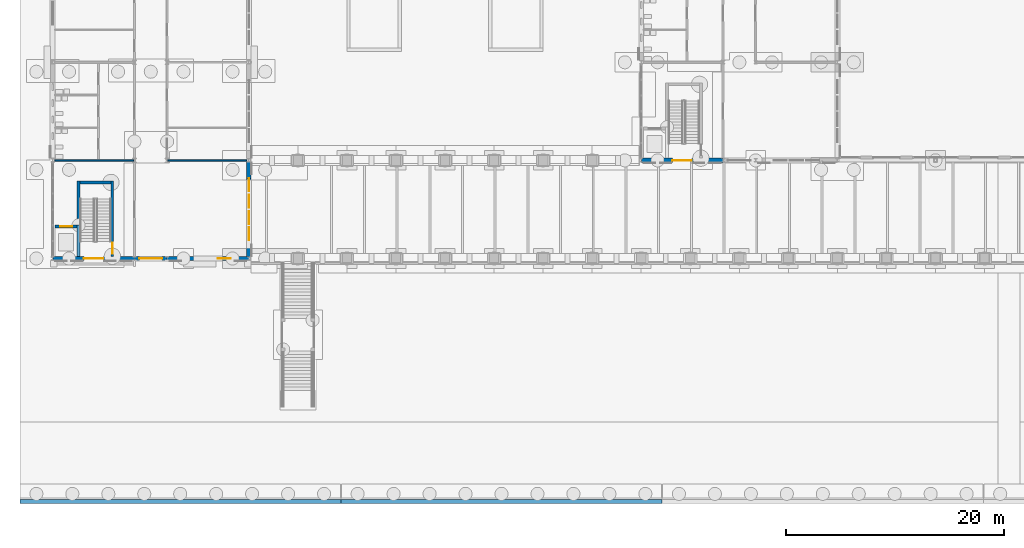
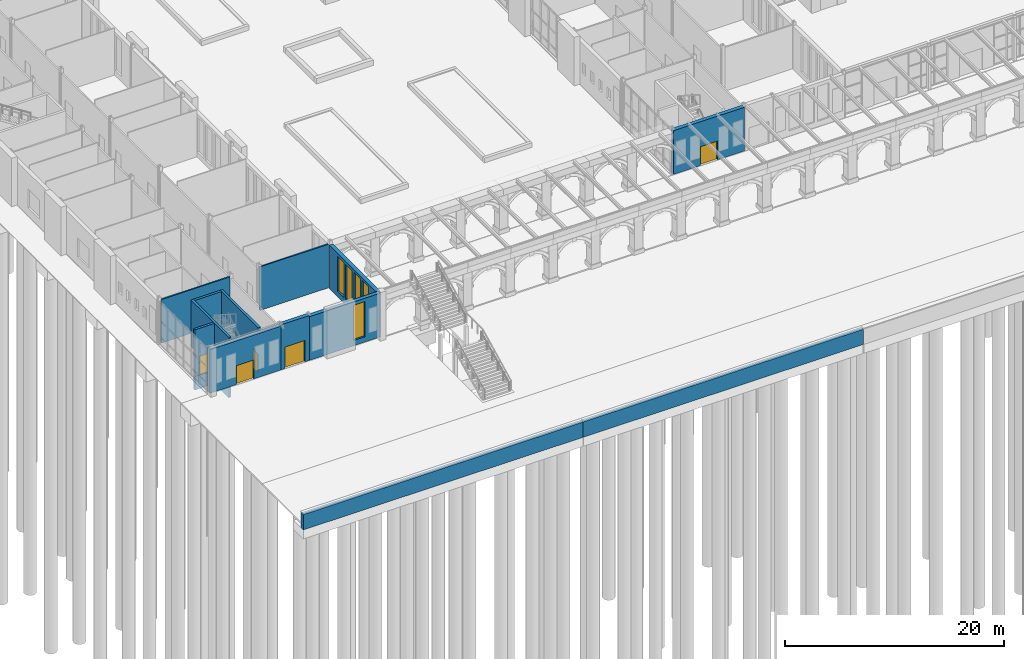
# One storey, part 83 of 168: 15 walls, 5 doors, 5 windows, 10 openings.
"""IFC4 building model written with IfcOpenShell, lengths in metres."""

import ifcopenshell
import ifcopenshell.guid

model = None  # the IFC model being written
_history = None  # IfcOwnerHistory: only IFC2X3 demands one
_inside = {}  # id of a spatial element -> (the spatial element, [elements in it])
_under = {}  # id of a project, library or spatial element -> (it, [spatial elements below it])
_declared = {}  # id of a project -> (the project, [libraries it declares])
_typed = {}  # id of a type object -> (the type object, [elements of that type])
_made_of = {}  # id of a material, layer set ... -> (it, [elements and type objects made of it])


def new_model(schema):
    """Start an empty IFC model of exactly this schema.

    Asked for "IFC4X3", IfcOpenShell would pick the latest addendum, in which some entities
    have other attributes; the version numbers below select the first issue.
    IFC2X3 requires an IfcOwnerHistory on every rooted entity: one is made here for all.
    """
    global model, _history
    if schema == "IFC4X3":
        model = ifcopenshell.file(schema_version=(4, 3, 0, 0))
    else:
        model = ifcopenshell.file(schema=schema)
    _inside.clear()
    _under.clear()
    _declared.clear()
    _typed.clear()
    _made_of.clear()
    _history = None
    if model.schema == "IFC2X3":
        org = make("IfcOrganization", Name="unknown")
        user = make(
            "IfcPersonAndOrganization",
            ThePerson=make("IfcPerson", FamilyName="unknown"),
            TheOrganization=org,
        )
        app = make(
            "IfcApplication",
            ApplicationDeveloper=org,
            Version="unknown",
            ApplicationFullName="unknown",
            ApplicationIdentifier="unknown",
        )
        _history = make(
            "IfcOwnerHistory",
            OwningUser=user,
            OwningApplication=app,
            ChangeAction="ADDED",
            CreationDate=0,
        )
    return model


def make(cls, **values):
    """One entity of the class cls with the attributes given. An attribute that is None is left unset."""
    return model.create_entity(
        cls, **{name: value for name, value in values.items() if value is not None}
    )


def rooted(cls, **values):
    """An entity with a GlobalId (a new one), such as an element, a storey or a relation."""
    return make(cls, GlobalId=ifcopenshell.guid.new(), OwnerHistory=_history, **values)


def si_unit(unit_type, name, prefix=None):
    """IfcSIUnit, for example si_unit("LENGTHUNIT", "METRE", prefix="MILLI")."""
    return make("IfcSIUnit", UnitType=unit_type, Prefix=prefix, Name=name)


def assignment(units):
    """IfcUnitAssignment: the units of a project."""
    return None if units is None else make("IfcUnitAssignment", Units=units)


def point(xyz):
    """IfcCartesianPoint."""
    return None if xyz is None else make("IfcCartesianPoint", Coordinates=xyz)


def direction(xyz):
    """IfcDirection."""
    return None if xyz is None else make("IfcDirection", DirectionRatios=xyz)


def frame(location, z_axis=None, x_axis=None):
    """IfcAxis2Placement3D, a coordinate frame: its origin and axes. An axis left out is left unset."""
    return make(
        "IfcAxis2Placement3D",
        Location=point(location),
        Axis=direction(z_axis),
        RefDirection=direction(x_axis),
    )


def frame_2d(location, x_axis=None):
    """IfcAxis2Placement2D, a coordinate frame in the plane: its origin and x axis."""
    return make(
        "IfcAxis2Placement2D", Location=point(location), RefDirection=direction(x_axis)
    )


def origin():
    """The frame at (0, 0, 0) with its axes left unset."""
    return frame((0.0, 0.0, 0.0))


def place(relative_to, where):
    """IfcLocalPlacement: puts the frame where relative to a parent placement (None: the world)."""
    return make(
        "IfcLocalPlacement", PlacementRelTo=relative_to, RelativePlacement=where
    )


def context(
    kind, dimensions, precision=None, world=None, true_north=None, identifier=None
):
    """IfcGeometricRepresentationContext, for example the 3D "Model" context."""
    return make(
        "IfcGeometricRepresentationContext",
        ContextIdentifier=identifier,
        ContextType=kind,
        CoordinateSpaceDimension=dimensions,
        Precision=precision,
        WorldCoordinateSystem=world,
        TrueNorth=true_north,
    )


def subcontext(parent, identifier, kind, view, scale=None):
    """IfcGeometricRepresentationSubContext, for example "Body" below "Model"."""
    return make(
        "IfcGeometricRepresentationSubContext",
        ContextIdentifier=identifier,
        ContextType=kind,
        ParentContext=parent,
        TargetScale=scale,
        TargetView=view,
    )


def project(units=None, contexts=None):
    """IfcProject with its units and contexts."""
    return rooted(
        "IfcProject",
        Name="project",
        RepresentationContexts=contexts,
        UnitsInContext=assignment(units),
    )


def spatial(cls, under=None, at=None, **own):
    """A site, building, storey or space (cls), placed at a placement, below another one or the project."""
    s = rooted(cls, ObjectPlacement=at, **own)
    if under is not None:
        _under.setdefault(under.id(), (under, []))[1].append(s)
    return s


def profile(cls, at=None, kind="AREA", **sizes):
    """A parametric profile (cls). Its sizes go by their IFC names, for example OverallWidth=200.0."""
    return make(cls, ProfileType=kind, Position=at, **sizes)


def rectangle(**sizes):
    """IfcRectangleProfileDef."""
    return profile("IfcRectangleProfileDef", **sizes)


def extrude(swept, where, along, depth):
    """IfcExtrudedAreaSolid: the profile swept, set in the frame where, extruded along a direction by depth."""
    return make(
        "IfcExtrudedAreaSolid",
        SweptArea=swept,
        Position=where,
        ExtrudedDirection=direction(along),
        Depth=depth,
    )


def shape(context_of_items, identifier, shape_type, items):
    """IfcShapeRepresentation: the items that make up one representation, for example the "Body"."""
    return make(
        "IfcShapeRepresentation",
        ContextOfItems=context_of_items,
        RepresentationIdentifier=identifier,
        RepresentationType=shape_type,
        Items=items,
    )


def material(Name=None, Category=None):
    """IfcMaterial."""
    return make("IfcMaterial", Name=Name, Category=Category)


def layer(
    of_material, thickness, ventilated=None, Name=None, Category=None, Priority=None
):
    """IfcMaterialLayer: one layer of a wall or slab, of a material (None: an air gap)."""
    return make(
        "IfcMaterialLayer",
        Material=of_material,
        LayerThickness=thickness,
        IsVentilated=ventilated,
        Name=Name,
        Category=Category,
        Priority=Priority,
    )


def layer_set(layers, Name=None):
    """IfcMaterialLayerSet."""
    return make("IfcMaterialLayerSet", MaterialLayers=layers, LayerSetName=Name)


def made_of(thing, what):
    """Note that an element or type object is made of a material, layer set ...; save() writes the relation."""
    if what is not None:
        _made_of.setdefault(what.id(), (what, []))[1].append(thing)
    return thing


def type_object(cls, material=None, **own):
    """A type object (cls), such as IfcWallType, which elements share."""
    return made_of(rooted(cls, **own), material)


def element(
    cls,
    number,
    at=None,
    inside=None,
    cuts=None,
    type_object=None,
    material=None,
    context=None,
    identifier="Body",
    shape_type=None,
    held_by="IfcProductDefinitionShape",
    body=None,
    shapes=None,
    **own,
):
    """One element of the class cls, such as IfcWall. Its Tag is "e" and its number.

    at: its placement. inside: the storey or other place that contains it. cuts: it is an
    opening in that element (IfcRelVoidsElement). A single representation is given by context,
    identifier, shape_type and body (its items); several are given by shapes. held_by: the class
    of the entity that holds the representations. save() writes the other relations.
    """
    e = rooted(cls, Tag="e%d" % number, ObjectPlacement=at, **own)
    if body is not None:
        shapes = [shape(context, identifier, shape_type, body)]
    if shapes is not None:
        e.Representation = make(held_by, Representations=shapes)
    if inside is not None:
        _inside.setdefault(inside.id(), (inside, []))[1].append(e)
    if cuts is not None:
        rooted(
            "IfcRelVoidsElement", RelatingBuildingElement=cuts, RelatedOpeningElement=e
        )
    if type_object is not None:
        _typed.setdefault(type_object.id(), (type_object, []))[1].append(e)
    return made_of(e, material)


def fill(opening, filler):
    """IfcRelFillsElement: the door or window that sits in an opening."""
    return rooted(
        "IfcRelFillsElement",
        RelatingOpeningElement=opening,
        RelatedBuildingElement=filler,
    )


def aggregate(whole, parts):
    """IfcRelAggregates: a whole, such as a stair, and the parts it consists of."""
    return rooted("IfcRelAggregates", RelatingObject=whole, RelatedObjects=parts)


def save(model, path):
    """Write the relations noted so far, then the file.

    IfcRelAggregates (storeys below a building ...), IfcRelContainedInSpatialStructure (elements
    in a storey), IfcRelDefinesByType, IfcRelAssociatesMaterial and IfcRelDeclares: one each for
    every whole, place, type object, material and project.
    """
    for whole, parts in _under.values():
        aggregate(whole, parts)
    for where, things in _inside.values():
        rooted(
            "IfcRelContainedInSpatialStructure",
            RelatedElements=things,
            RelatingStructure=where,
        )
    for kind, things in _typed.values():
        rooted("IfcRelDefinesByType", RelatedObjects=things, RelatingType=kind)
    for what, things in _made_of.values():
        rooted("IfcRelAssociatesMaterial", RelatedObjects=things, RelatingMaterial=what)
    for by, libraries in _declared.values():
        rooted("IfcRelDeclares", RelatingContext=by, RelatedDefinitions=libraries)
    model.write(path)


model = new_model("IFC4")

# Units and contexts
model_context = context("Model", 3, precision=1e-05, world=origin(), true_north=direction((0.0, 1.0)))
body_context = subcontext(model_context, "Body", "Model", "MODEL_VIEW")
ifc_project = project(units=[si_unit("LENGTHUNIT", "METRE"), si_unit("AREAUNIT", "SQUARE_METRE"), si_unit("VOLUMEUNIT", "CUBIC_METRE"), si_unit("PLANEANGLEUNIT", "RADIAN"), si_unit("MASSUNIT", "GRAM", prefix="KILO")], contexts=[model_context])

# Site, building, storey
site_placement = place(None, origin())
site = spatial("IfcSite", under=ifc_project, at=site_placement, CompositionType="ELEMENT")
building_placement = place(site_placement, origin())
building = spatial("IfcBuilding", under=site, at=building_placement, Name="Golden Quay Civic Hall", CompositionType="ELEMENT")
storey_placement = place(building_placement, origin())
storey = spatial("IfcBuildingStorey", under=building, at=storey_placement, Name="L00", CompositionType="ELEMENT", Elevation=0.0)

# Wall
ifc_material_1 = material(Name="Concrete C40/50", Category="concrete")
ifc_layer_1 = layer(ifc_material_1, 0.25)
ifc_layer_set_1 = layer_set([ifc_layer_1], Name="Concrete core wall 250, Concrete C40/50")
wall_type_1 = type_object("IfcWallType", Name="Concrete core wall 250", PredefinedType="SHEAR", material=ifc_layer_set_1)
wall_1_placement = place(storey_placement, frame((2.375, -8.800048828125, 0.0), z_axis=(0.0, 0.0, 1.0), x_axis=(0.0, 1.0, 0.0)))
element("IfcWall", 1, at=wall_1_placement, inside=storey, type_object=wall_type_1, Name="Core wall WO-S-W1", PredefinedType="SHEAR", context=body_context, shape_type="SweptSolid", body=[
    extrude(rectangle(XDim=6.900146484375, YDim=0.25, at=frame_2d((3.4501953125, 0.0))), origin(), (0.0, 0.0, 1.0), 5.199951171875),
])

# Wall, opening, door
wall_2_placement = place(storey_placement, frame((5.47509765625, -8.800048828125, 0.0), z_axis=(0.0, 0.0, 1.0), x_axis=(0.0, 1.0, 0.0)))
wall_2 = element("IfcWall", 2, at=wall_2_placement, inside=storey, type_object=wall_type_1, Name="Core wall WO-S-W2", PredefinedType="SHEAR", context=body_context, shape_type="SweptSolid", body=[
    extrude(rectangle(XDim=6.900146484375, YDim=0.25, at=frame_2d((3.4501953125, 0.0))), origin(), (0.0, 0.0, 1.0), 5.199951171875),
])
opening_1_placement = place(wall_2_placement, frame((0.25, 0.0, 0.0)))
opening_1 = element("IfcOpeningElement", 3, at=opening_1_placement, cuts=wall_2, Name="Opening L00-D073", PredefinedType="OPENING", context=body_context, shape_type="SweptSolid", body=[
    extrude(rectangle(XDim=1.0, YDim=2.10009765625, at=frame_2d((0.5, 1.050048828125))), frame((0.0, 0.135009765625, 0.0), z_axis=(0.0, -1.0, 0.0), x_axis=(1.0, 0.0, 0.0)), (0.0, 0.0, 1.0), 0.27001953125),
])
ifc_material_2 = material(Name="Steel", Category="steel")
door_type_1 = type_object("IfcDoorType", Name="Steel fire door FD60 1000 x 2100", OperationType="SINGLE_SWING_LEFT", PredefinedType="DOOR", material=ifc_material_2)
door_1_placement = place(opening_1_placement, origin())
door_1 = element("IfcDoor", 4, at=door_1_placement, inside=storey, type_object=door_type_1, Name="Door L00-D073", OperationType="SINGLE_SWING_LEFT", OverallHeight=2.10009765625, OverallWidth=1.0, PredefinedType="DOOR", context=body_context, shape_type="SweptSolid", body=[
    extrude(rectangle(XDim=1.0, YDim=2.10009765625, at=frame_2d((0.5, 1.050048828125))), frame((0.0, 0.02490234375, 0.0), z_axis=(0.0, -1.0, 0.0), x_axis=(1.0, 0.0, 0.0)), (0.0, 0.0, 1.0), 0.050048828125),
])
fill(opening_1, door_1)

# Wall
wall_3_placement = place(storey_placement, frame((2.5, -2.02490234375, 0.0), z_axis=(0.0, 0.0, 1.0), x_axis=(1.0, 0.0, 0.0)))
element("IfcWall", 5, at=wall_3_placement, inside=storey, type_object=wall_type_1, Name="Core wall WO-S-W3", PredefinedType="SHEAR", context=body_context, shape_type="SweptSolid", body=[
    extrude(rectangle(XDim=2.85009765625, YDim=0.25, at=frame_2d((1.425048828125, 0.0))), origin(), (0.0, 0.0, 1.0), 5.199951171875),
])

# Wall, opening, door
wall_4_placement = place(storey_placement, frame((0.199951171875, -6.074951171875, 0.0), z_axis=(0.0, 0.0, 1.0), x_axis=(1.0, 0.0, 0.0)))
wall_4 = element("IfcWall", 6, at=wall_4_placement, inside=storey, type_object=wall_type_1, Name="Core wall WO-S-W4", PredefinedType="SHEAR", context=body_context, shape_type="SweptSolid", body=[
    extrude(rectangle(XDim=2.050048828125, YDim=0.25, at=frame_2d((1.02490234375, 0.0))), origin(), (0.0, 0.0, 1.0), 5.199951171875),
])
opening_2_placement = place(wall_4_placement, frame((0.47509765625, 0.0, 0.0)))
opening_2 = element("IfcOpeningElement", 7, at=opening_2_placement, cuts=wall_4, Name="Opening L00-D089", PredefinedType="OPENING", context=body_context, shape_type="SweptSolid", body=[
    extrude(rectangle(XDim=1.10009765625, YDim=2.10009765625, at=frame_2d((0.550048828125, 1.050048828125))), frame((0.0, 0.135009765625, 0.0), z_axis=(0.0, -1.0, 0.0), x_axis=(1.0, 0.0, 0.0)), (0.0, 0.0, 1.0), 0.27001953125),
])
ifc_material_3 = material(Name="Steel", Category="steel")
door_type_2 = type_object("IfcDoorType", Name="Lift landing door 1100 x 2100", OperationType="SLIDING_TO_LEFT", PredefinedType="DOOR", material=ifc_material_3)
door_2_placement = place(opening_2_placement, origin())
door_2 = element("IfcDoor", 8, at=door_2_placement, inside=storey, type_object=door_type_2, Name="Lift landing door L00-D089 WO-S", OperationType="SLIDING_TO_LEFT", OverallHeight=2.10009765625, OverallWidth=1.10009765625, PredefinedType="DOOR", context=body_context, shape_type="SweptSolid", body=[
    extrude(rectangle(XDim=1.10009765625, YDim=2.10009765625, at=frame_2d((0.550048828125, 1.050048828125))), frame((0.0, 0.02490234375, 0.0), z_axis=(0.0, -1.0, 0.0), x_axis=(1.0, 0.0, 0.0)), (0.0, 0.0, 1.0), 0.050048828125),
])
fill(opening_2, door_2)

# Walls
wall_5_placement = place(storey_placement, frame((2.375, -8.800048828125, -1.5), z_axis=(0.0, 0.0, 1.0), x_axis=(0.0, 1.0, 0.0)))
element("IfcWall", 9, at=wall_5_placement, inside=storey, type_object=wall_type_1, Name="Lift pit wall P1", PredefinedType="SHEAR", context=body_context, shape_type="SweptSolid", body=[
    extrude(rectangle(XDim=2.85009765625, YDim=0.25, at=frame_2d((1.425048828125, 0.0))), origin(), (0.0, 0.0, 1.0), 1.5),
])
wall_6_placement = place(storey_placement, frame((0.199951171875, -6.074951171875, -1.5), z_axis=(0.0, 0.0, 1.0), x_axis=(1.0, 0.0, 0.0)))
element("IfcWall", 10, at=wall_6_placement, inside=storey, type_object=wall_type_1, Name="Lift pit wall P2", PredefinedType="SHEAR", context=body_context, shape_type="SweptSolid", body=[
    extrude(rectangle(XDim=2.050048828125, YDim=0.25, at=frame_2d((1.02490234375, 0.0))), origin(), (0.0, 0.0, 1.0), 1.5),
])
ifc_material_4 = material(Name="Plasterboard on steel studs", Category="steel")
ifc_layer_2 = layer(ifc_material_4, 0.14990234375)
ifc_layer_set_2 = layer_set([ifc_layer_2], Name="Partition 150 stud fire EI 60")
wall_type_2 = type_object("IfcWallType", Name="Partition 150 stud fire EI 60", PredefinedType="PARTITIONING", material=ifc_layer_set_2)
for number, where, z_axis, x_axis, name in (
    (11, (10.574951171875, 0.0, 0.0), (0.0, 0.0, 1.0), (1.0, 0.0, 0.0), "Partition L00-010"),
    (12, (0.199951171875, 0.0, 0.0), (0.0, 0.0, 1.0), (1.0, 0.0, 0.0), "Partition L00-024"),
):
    element("IfcWall", number, at=place(storey_placement, frame(where, z_axis=z_axis, x_axis=x_axis)), inside=storey, type_object=wall_type_2, Name=name, PredefinedType="PARTITIONING", context=body_context, shape_type="SweptSolid", body=[
        extrude(rectangle(XDim=7.22509765625, YDim=0.14990234375, at=frame_2d((3.612548828125, 0.0))), origin(), (0.0, 0.0, 1.0), 4.85009765625),
    ])
ifc_material_5 = material(Name="Concrete C40/50", Category="concrete")
ifc_layer_3 = layer(ifc_material_5, 0.39990234375)
ifc_layer_set_3 = layer_set([ifc_layer_3], Name="Quay wall 400")
wall_type_3 = type_object("IfcWallType", Name="Quay wall 400", PredefinedType="STANDARD", material=ifc_layer_set_3)
wall_7_placement = place(storey_placement, frame((-3.0, -31.300048828125, -0.60009765625), z_axis=(0.0, 0.0, 1.0), x_axis=(1.0, 0.0, 0.0)))
element("IfcWall", 13, at=wall_7_placement, inside=storey, type_object=wall_type_3, Name="Quay wall run 1", PredefinedType="STANDARD", context=body_context, shape_type="SweptSolid", body=[
    extrude(rectangle(XDim=29.43994140625, YDim=0.39990234375, at=frame_2d((14.719970703125, 0.0))), origin(), (0.0, 0.0, 1.0), 1.7001953125),
])
wall_8_placement = place(storey_placement, frame((26.43994140625, -31.300048828125, -0.60009765625), z_axis=(0.0, 0.0, 1.0), x_axis=(1.0, 0.0, 0.0)))
element("IfcWall", 14, at=wall_8_placement, inside=storey, type_object=wall_type_3, Name="Quay wall run 2", PredefinedType="STANDARD", context=body_context, shape_type="SweptSolid", body=[
    extrude(rectangle(XDim=29.47998046875, YDim=0.39990234375, at=frame_2d((14.739990234375, 0.0))), origin(), (0.0, 0.0, 1.0), 1.7001953125),
])

# Wall, openings, windows
ifc_material_6 = material(Name="Clay block, rendered, cream")
ifc_layer_4 = layer(ifc_material_6, 0.39990234375)
ifc_layer_set_4 = layer_set([ifc_layer_4], Name="Rendered block external wall 400")
wall_type_4 = type_object("IfcWallType", Name="Rendered block external wall 400", PredefinedType="STANDARD", material=ifc_layer_set_4)
wall_9_placement = place(storey_placement, frame((18.0, -0.14990234375, 0.0), z_axis=(0.0, 0.0, 1.0), x_axis=(0.0, -1.0, 0.0)))
wall_9 = element("IfcWall", 15, at=wall_9_placement, inside=storey, type_object=wall_type_4, Name="Rendered block external wall 400 L00 12", PredefinedType="STANDARD", context=body_context, shape_type="SweptSolid", body=[
    extrude(rectangle(XDim=8.7001953125, YDim=0.39990234375, at=frame_2d((4.35009765625, 0.0))), origin(), (0.0, 0.0, 1.0), 4.800048828125),
])
opening_3_placement = place(wall_9_placement, frame((6.0, 0.0, 0.60009765625)))
opening_3 = element("IfcOpeningElement", 16, at=opening_3_placement, cuts=wall_9, Name="Opening WN3", PredefinedType="OPENING", context=body_context, shape_type="SweptSolid", body=[
    extrude(rectangle(XDim=1.199951171875, YDim=3.89990234375, at=frame_2d((0.60009765625, 1.949951171875))), frame((0.0, 0.2099609375, 0.0), z_axis=(0.0, -1.0, 0.0), x_axis=(1.0, 0.0, 0.0)), (0.0, 0.0, 1.0), 0.419921875),
])
opening_4_placement = place(wall_9_placement, frame((4.5, 0.0, 0.60009765625)))
opening_4 = element("IfcOpeningElement", 17, at=opening_4_placement, cuts=wall_9, Name="Opening WN3", PredefinedType="OPENING", context=body_context, shape_type="SweptSolid", body=[
    extrude(rectangle(XDim=1.199951171875, YDim=3.89990234375, at=frame_2d((0.60009765625, 1.949951171875))), frame((0.0, 0.2099609375, 0.0), z_axis=(0.0, -1.0, 0.0), x_axis=(1.0, 0.0, 0.0)), (0.0, 0.0, 1.0), 0.419921875),
])
opening_5_placement = place(wall_9_placement, frame((3.0, 0.0, 0.60009765625)))
opening_5 = element("IfcOpeningElement", 18, at=opening_5_placement, cuts=wall_9, Name="Opening WN3", PredefinedType="OPENING", context=body_context, shape_type="SweptSolid", body=[
    extrude(rectangle(XDim=1.199951171875, YDim=3.89990234375, at=frame_2d((0.60009765625, 1.949951171875))), frame((0.0, 0.2099609375, 0.0), z_axis=(0.0, -1.0, 0.0), x_axis=(1.0, 0.0, 0.0)), (0.0, 0.0, 1.0), 0.419921875),
])
opening_6_placement = place(wall_9_placement, frame((1.5, 0.0, 0.60009765625)))
opening_6 = element("IfcOpeningElement", 19, at=opening_6_placement, cuts=wall_9, Name="Opening WN3", PredefinedType="OPENING", context=body_context, shape_type="SweptSolid", body=[
    extrude(rectangle(XDim=1.199951171875, YDim=3.89990234375, at=frame_2d((0.60009765625, 1.949951171875))), frame((0.0, 0.2099609375, 0.0), z_axis=(0.0, -1.0, 0.0), x_axis=(1.0, 0.0, 0.0)), (0.0, 0.0, 1.0), 0.419921875),
])
ifc_material_7 = material(Name="Aluminium frame, double glazed", Category="aluminium")
window_type = type_object("IfcWindowType", Name="Golden grid window 1200 x 3900", PartitioningType="SINGLE_PANEL", PredefinedType="WINDOW", material=ifc_material_7)
window_1_placement = place(opening_3_placement, origin())
window_1 = element("IfcWindow", 20, at=window_1_placement, inside=storey, type_object=window_type, Name="Golden grid window 1200 x 3900 L00 17", OverallHeight=3.89990234375, OverallWidth=1.199951171875, PartitioningType="SINGLE_PANEL", PredefinedType="WINDOW", context=body_context, shape_type="SweptSolid", body=[
    extrude(rectangle(XDim=1.199951171875, YDim=3.89990234375, at=frame_2d((0.60009765625, 1.949951171875))), frame((0.0, 0.030029296875, 0.0), z_axis=(0.0, -1.0, 0.0), x_axis=(1.0, 0.0, 0.0)), (0.0, 0.0, 1.0), 0.06005859375),
])
fill(opening_3, window_1)
window_2_placement = place(opening_4_placement, origin())
window_2 = element("IfcWindow", 21, at=window_2_placement, inside=storey, type_object=window_type, Name="Golden grid window 1200 x 3900 L00 18", OverallHeight=3.89990234375, OverallWidth=1.199951171875, PartitioningType="SINGLE_PANEL", PredefinedType="WINDOW", context=body_context, shape_type="SweptSolid", body=[
    extrude(rectangle(XDim=1.199951171875, YDim=3.89990234375, at=frame_2d((0.60009765625, 1.949951171875))), frame((0.0, 0.030029296875, 0.0), z_axis=(0.0, -1.0, 0.0), x_axis=(1.0, 0.0, 0.0)), (0.0, 0.0, 1.0), 0.06005859375),
])
fill(opening_4, window_2)
window_3_placement = place(opening_5_placement, origin())
window_3 = element("IfcWindow", 22, at=window_3_placement, inside=storey, type_object=window_type, Name="Golden grid window 1200 x 3900 L00 19", OverallHeight=3.89990234375, OverallWidth=1.199951171875, PartitioningType="SINGLE_PANEL", PredefinedType="WINDOW", context=body_context, shape_type="SweptSolid", body=[
    extrude(rectangle(XDim=1.199951171875, YDim=3.89990234375, at=frame_2d((0.60009765625, 1.949951171875))), frame((0.0, 0.030029296875, 0.0), z_axis=(0.0, -1.0, 0.0), x_axis=(1.0, 0.0, 0.0)), (0.0, 0.0, 1.0), 0.06005859375),
])
fill(opening_5, window_3)
window_4_placement = place(opening_6_placement, origin())
window_4 = element("IfcWindow", 23, at=window_4_placement, inside=storey, type_object=window_type, Name="Golden grid window 1200 x 3900 L00 20", OverallHeight=3.89990234375, OverallWidth=1.199951171875, PartitioningType="SINGLE_PANEL", PredefinedType="WINDOW", context=body_context, shape_type="SweptSolid", body=[
    extrude(rectangle(XDim=1.199951171875, YDim=3.89990234375, at=frame_2d((0.60009765625, 1.949951171875))), frame((0.0, 0.030029296875, 0.0), z_axis=(0.0, -1.0, 0.0), x_axis=(1.0, 0.0, 0.0)), (0.0, 0.0, 1.0), 0.06005859375),
])
fill(opening_6, window_4)

# Wall, opening, door
wall_10_placement = place(storey_placement, frame((10.489501953125, -9.0, 0.0), z_axis=(0.0, 0.0, 1.0), x_axis=(-1.0, 0.0, 0.0)))
wall_10 = element("IfcWall", 24, at=wall_10_placement, inside=storey, type_object=wall_type_4, Name="Rendered block external wall 400 L00 19", PredefinedType="STANDARD", context=body_context, shape_type="SweptSolid", body=[
    extrude(rectangle(XDim=2.97900390625, YDim=0.39990234375, at=frame_2d((1.489501953125, 0.0))), origin(), (0.0, 0.0, 1.0), 5.0),
])
opening_7_placement = place(wall_10_placement, frame((0.439453125, 0.0, 0.0)))
opening_7 = element("IfcOpeningElement", 25, at=opening_7_placement, cuts=wall_10, Name="Opening L00-D004", PredefinedType="OPENING", context=body_context, shape_type="SweptSolid", body=[
    extrude(rectangle(XDim=2.10009765625, YDim=2.39990234375, at=frame_2d((1.050048828125, 1.199951171875))), frame((0.0, 0.2099609375, 0.0), z_axis=(0.0, -1.0, 0.0), x_axis=(1.0, 0.0, 0.0)), (0.0, 0.0, 1.0), 0.419921875),
])
ifc_material_8 = material(Name="Aluminium frame, glazed", Category="aluminium")
door_type_3 = type_object("IfcDoorType", Name="Glazed double entrance door 2100 x 2400", OperationType="DOUBLE_DOOR_SINGLE_SWING", PredefinedType="DOOR", material=ifc_material_8)
door_3_placement = place(opening_7_placement, origin())
door_3 = element("IfcDoor", 26, at=door_3_placement, inside=storey, type_object=door_type_3, Name="Door L00-D004", OperationType="DOUBLE_DOOR_SINGLE_SWING", OverallHeight=2.39990234375, OverallWidth=2.10009765625, PredefinedType="DOOR", context=body_context, shape_type="SweptSolid", body=[
    extrude(rectangle(XDim=2.10009765625, YDim=2.39990234375, at=frame_2d((1.050048828125, 1.199951171875))), frame((0.0, 0.02490234375, 0.0), z_axis=(0.0, -1.0, 0.0), x_axis=(1.0, 0.0, 0.0)), (0.0, 0.0, 1.0), 0.050048828125),
])
fill(opening_7, door_3)

# Wall, opening, window
wall_11_placement = place(storey_placement, frame((17.989501953125, -9.0, 0.0), z_axis=(0.0, 0.0, 1.0), x_axis=(-1.0, 0.0, 0.0)))
wall_11 = element("IfcWall", 27, at=wall_11_placement, inside=storey, type_object=wall_type_4, Name="Rendered block external wall 400 L00 20", PredefinedType="STANDARD", context=body_context, shape_type="SweptSolid", body=[
    extrude(rectangle(XDim=7.47900390625, YDim=0.39990234375, at=frame_2d((3.739501953125, 0.0))), origin(), (0.0, 0.0, 1.0), 4.8701171875),
])
opening_8_placement = place(wall_11_placement, frame((1.639404296875, 0.0, 0.60009765625)))
opening_8 = element("IfcOpeningElement", 28, at=opening_8_placement, cuts=wall_11, Name="Opening WN3", PredefinedType="OPENING", context=body_context, shape_type="SweptSolid", body=[
    extrude(rectangle(XDim=1.199951171875, YDim=3.89990234375, at=frame_2d((0.60009765625, 1.949951171875))), frame((0.0, 0.2099609375, 0.0), z_axis=(0.0, -1.0, 0.0), x_axis=(1.0, 0.0, 0.0)), (0.0, 0.0, 1.0), 0.419921875),
])
window_5_placement = place(opening_8_placement, origin())
window_5 = element("IfcWindow", 29, at=window_5_placement, inside=storey, type_object=window_type, Name="Golden grid window 1200 x 3900 L00 41", OverallHeight=3.89990234375, OverallWidth=1.199951171875, PartitioningType="SINGLE_PANEL", PredefinedType="WINDOW", context=body_context, shape_type="SweptSolid", body=[
    extrude(rectangle(XDim=1.199951171875, YDim=3.89990234375, at=frame_2d((0.60009765625, 1.949951171875))), frame((0.0, 0.030029296875, 0.0), z_axis=(0.0, -1.0, 0.0), x_axis=(1.0, 0.0, 0.0)), (0.0, 0.0, 1.0), 0.06005859375),
])
fill(opening_8, window_5)

# Wall, opening, door
ifc_material_9 = material(Name="Clay block, rendered, cream")
ifc_layer_5 = layer(ifc_material_9, 0.39990234375)
ifc_layer_set_5 = layer_set([ifc_layer_5], Name="Rendered block external wall 400 fire EI 60")
wall_type_5 = type_object("IfcWallType", Name="Rendered block external wall 400 fire EI 60", PredefinedType="STANDARD", material=ifc_layer_set_5)
wall_12_placement = place(storey_placement, frame((7.489501953125, -9.0, 0.0), z_axis=(0.0, 0.0, 1.0), x_axis=(-1.0, 0.0, 0.0)))
wall_12 = element("IfcWall", 30, at=wall_12_placement, inside=storey, type_object=wall_type_5, Name="Rendered block external wall 400 fire EI 60 L00 3", PredefinedType="STANDARD", context=body_context, shape_type="SweptSolid", body=[
    extrude(rectangle(XDim=7.47900390625, YDim=0.39990234375, at=frame_2d((3.739501953125, 0.0))), origin(), (0.0, 0.0, 1.0), 4.8701171875),
])
opening_9_placement = place(wall_12_placement, frame((2.839599609375, 0.0, 0.0)))
opening_9 = element("IfcOpeningElement", 31, at=opening_9_placement, cuts=wall_12, Name="Opening L00-D003", PredefinedType="OPENING", context=body_context, shape_type="SweptSolid", body=[
    extrude(rectangle(XDim=1.800048828125, YDim=2.10009765625, at=frame_2d((0.89990234375, 1.050048828125))), frame((0.0, 0.2099609375, 0.0), z_axis=(0.0, -1.0, 0.0), x_axis=(1.0, 0.0, 0.0)), (0.0, 0.0, 1.0), 0.419921875),
])
ifc_material_10 = material(Name="Steel", Category="steel")
door_type_4 = type_object("IfcDoorType", Name="Steel double exit door FD60 1800 x 2100", OperationType="DOUBLE_DOOR_SINGLE_SWING", PredefinedType="DOOR", material=ifc_material_10)
door_4_placement = place(opening_9_placement, origin())
door_4 = element("IfcDoor", 32, at=door_4_placement, inside=storey, type_object=door_type_4, Name="Door L00-D003", OperationType="DOUBLE_DOOR_SINGLE_SWING", OverallHeight=2.10009765625, OverallWidth=1.800048828125, PredefinedType="DOOR", context=body_context, shape_type="SweptSolid", body=[
    extrude(rectangle(XDim=1.800048828125, YDim=2.10009765625, at=frame_2d((0.89990234375, 1.050048828125))), frame((0.0, 0.02490234375, 0.0), z_axis=(0.0, -1.0, 0.0), x_axis=(1.0, 0.0, 0.0)), (0.0, 0.0, 1.0), 0.050048828125),
])
fill(opening_9, door_4)

wall_13_placement = place(storey_placement, frame((61.49072265625, 0.0, 0.0), z_axis=(0.0, 0.0, 1.0), x_axis=(-1.0, 0.0, 0.0)))
wall_13 = element("IfcWall", 33, at=wall_13_placement, inside=storey, type_object=wall_type_5, Name="Rendered block external wall 400 fire EI 60 L00 5", PredefinedType="STANDARD", context=body_context, shape_type="SweptSolid", body=[
    extrude(rectangle(XDim=7.4814453125, YDim=0.39990234375, at=frame_2d((3.74072265625, 0.0))), origin(), (0.0, 0.0, 1.0), 4.8701171875),
])
opening_10_placement = place(wall_13_placement, frame((2.8408203125, 0.0, 0.0)))
opening_10 = element("IfcOpeningElement", 34, at=opening_10_placement, cuts=wall_13, Name="Opening L00-D008", PredefinedType="OPENING", context=body_context, shape_type="SweptSolid", body=[
    extrude(rectangle(XDim=1.800048828125, YDim=2.10009765625, at=frame_2d((0.89990234375, 1.050048828125))), frame((0.0, 0.2099609375, 0.0), z_axis=(0.0, -1.0, 0.0), x_axis=(1.0, 0.0, 0.0)), (0.0, 0.0, 1.0), 0.419921875),
])
door_5_placement = place(opening_10_placement, origin())
door_5 = element("IfcDoor", 35, at=door_5_placement, inside=storey, type_object=door_type_4, Name="Door L00-D008", OperationType="DOUBLE_DOOR_SINGLE_SWING", OverallHeight=2.10009765625, OverallWidth=1.800048828125, PredefinedType="DOOR", context=body_context, shape_type="SweptSolid", body=[
    extrude(rectangle(XDim=1.800048828125, YDim=2.10009765625, at=frame_2d((0.89990234375, 1.050048828125))), frame((0.0, 0.02490234375, 0.0), z_axis=(0.0, -1.0, 0.0), x_axis=(1.0, 0.0, 0.0)), (0.0, 0.0, 1.0), 0.050048828125),
])
fill(opening_10, door_5)

save(model, "model.ifc")
